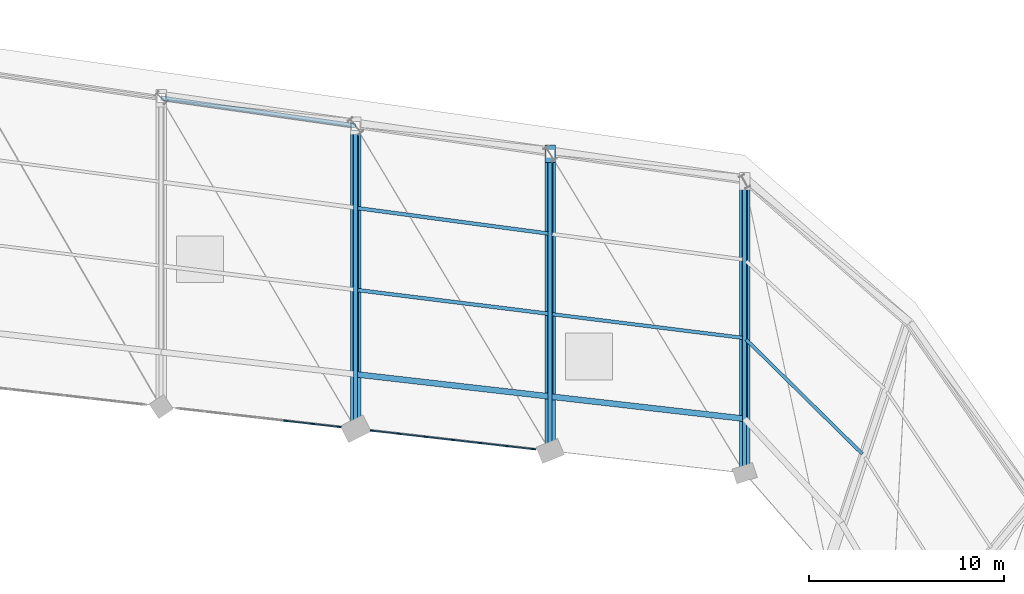
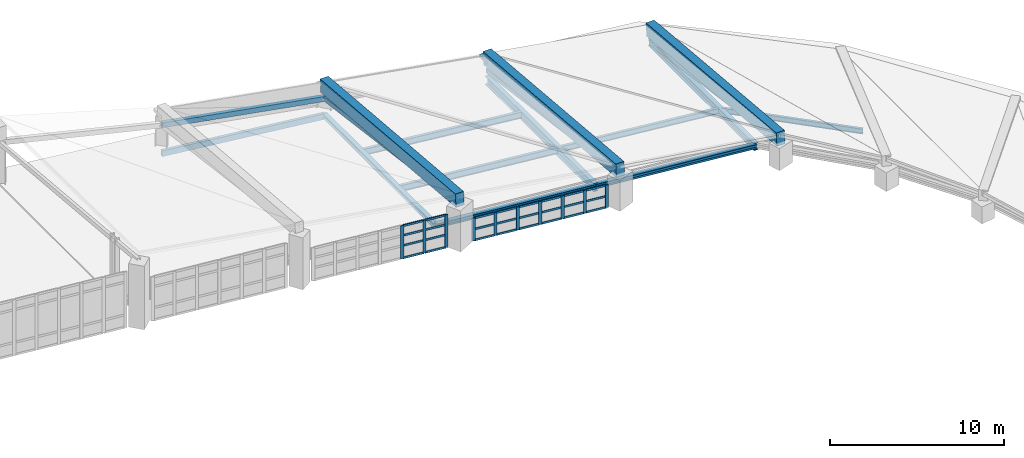
# One storey, part 43 of 67: 40 members, 14 beams, 2 elements without a shape of their own.
"""IFC4 building model written with IfcOpenShell, lengths in metres."""

from ifc_helpers import new_model, si_unit, direction, frame, origin, origin_2d, place, context, subcontext, project, spatial, rectangle, hollow_rectangle, i_section, extrude, material, layer, layer_set, material_profile, profile_set, type_object, element, aggregate, save


model = new_model("IFC4")

# Units and contexts
model_context = context("Model", 3, precision=1e-05, world=origin(), true_north=direction((0.0, 1.0)))
body_context = subcontext(model_context, "Body", "Model", "MODEL_VIEW")
ifc_project = project(units=[si_unit("LENGTHUNIT", "METRE"), si_unit("AREAUNIT", "SQUARE_METRE"), si_unit("VOLUMEUNIT", "CUBIC_METRE"), si_unit("PLANEANGLEUNIT", "RADIAN"), si_unit("MASSUNIT", "GRAM", prefix="KILO")], contexts=[model_context])

# Site, building, storey
site_placement = place(None, origin())
site = spatial("IfcSite", under=ifc_project, at=site_placement, CompositionType="ELEMENT")
building_placement = place(site_placement, origin())
building = spatial("IfcBuilding", under=site, at=building_placement, Name="Sohan Crest Arena", CompositionType="ELEMENT")
storey_placement = place(building_placement, frame((0.0, 0.0, 22.5)))
storey = spatial("IfcBuildingStorey", under=building, at=storey_placement, Name="L05", CompositionType="ELEMENT", Elevation=22.5)

# Curtain wall, members
ifc_material_1 = material(Name="Thermally broken anodised aluminium", Category="aluminium")
ifc_layer = layer(ifc_material_1, 0.18994140625, Name="Thermally broken anodised aluminium")
ifc_layer_set = layer_set([ifc_layer], Name="Thermally broken anodised aluminium")
curtain_wall_type = type_object("IfcCurtainWallType", Name="ARC-CW05", PredefinedType="NOTDEFINED", material=ifc_layer_set)
curtain_wall_1_placement = place(storey_placement, origin())
curtain_wall_1 = element("IfcCurtainWall", 1, at=curtain_wall_1_placement, inside=storey, type_object=curtain_wall_type, Name="Unitised curtain wall CW-195", PredefinedType="NOTDEFINED")
ifc_material_profile_1 = material_profile(ifc_material_1, rectangle(XDim=0.070068359375, YDim=0.199951171875, at=origin_2d()), Name="ALU-MULL 70x200")
ifc_profile_set_1 = profile_set([ifc_material_profile_1], Name="Thermally broken anodised aluminium")
member_type_1 = type_object("IfcMemberType", Name="ARC-CW-ML03", PredefinedType="MULLION", material=ifc_profile_set_1)
member_1_placement = place(storey_placement, frame((157.150146484375, 102.239990234375, 0.0), z_axis=(0.0, 0.0, 1.0), x_axis=(-0.11359680696, -0.993526932422, 0.0)))
member_1 = element("IfcMember", 2, at=member_1_placement, type_object=member_type_1, Name="CW-195 mullion 1", PredefinedType="MULLION", context=body_context, shape_type="SweptSolid", body=[
    extrude(rectangle(XDim=0.070068359375, YDim=0.199951171875, at=origin_2d()), origin(), (0.0, 0.0, 1.0), 1.60302734375),
])
member_2_placement = place(storey_placement, frame((155.7900390625, 102.3955078125, 0.0), z_axis=(0.0, 0.0, 1.0), x_axis=(-0.11359680696, -0.993526932422, 0.0)))
member_2 = element("IfcMember", 3, at=member_2_placement, type_object=member_type_1, Name="CW-195 mullion 2", PredefinedType="MULLION", context=body_context, shape_type="SweptSolid", body=[
    extrude(rectangle(XDim=0.070068359375, YDim=0.199951171875, at=origin_2d()), origin(), (0.0, 0.0, 1.0), 1.60302734375),
])
member_3_placement = place(storey_placement, frame((154.39501953125, 102.554931640625, 0.0), z_axis=(0.0, 0.0, 1.0), x_axis=(-0.11359680696, -0.993526932422, 0.0)))
member_3 = element("IfcMember", 4, at=member_3_placement, type_object=member_type_1, Name="CW-195 mullion 3", PredefinedType="MULLION", context=body_context, shape_type="SweptSolid", body=[
    extrude(rectangle(XDim=0.070068359375, YDim=0.199951171875, at=origin_2d()), origin(), (0.0, 0.0, 1.0), 1.60302734375),
])
member_4_placement = place(storey_placement, frame((153.0, 102.714599609375, 0.0), z_axis=(0.0, 0.0, 1.0), x_axis=(-0.11359680696, -0.993526932422, 0.0)))
member_4 = element("IfcMember", 5, at=member_4_placement, type_object=member_type_1, Name="CW-195 mullion 4", PredefinedType="MULLION", context=body_context, shape_type="SweptSolid", body=[
    extrude(rectangle(XDim=0.070068359375, YDim=0.199951171875, at=origin_2d()), origin(), (0.0, 0.0, 1.0), 1.60302734375),
])
member_5_placement = place(storey_placement, frame((151.60498046875, 102.8740234375, 0.0), z_axis=(0.0, 0.0, 1.0), x_axis=(-0.11359680696, -0.993526932422, 0.0)))
member_5 = element("IfcMember", 6, at=member_5_placement, type_object=member_type_1, Name="CW-195 mullion 5", PredefinedType="MULLION", context=body_context, shape_type="SweptSolid", body=[
    extrude(rectangle(XDim=0.070068359375, YDim=0.199951171875, at=origin_2d()), origin(), (0.0, 0.0, 1.0), 1.60302734375),
])
member_6_placement = place(storey_placement, frame((150.2099609375, 103.033447265625, 0.0), z_axis=(0.0, 0.0, 1.0), x_axis=(-0.11359680696, -0.993526932422, 0.0)))
member_6 = element("IfcMember", 7, at=member_6_placement, type_object=member_type_1, Name="CW-195 mullion 6", PredefinedType="MULLION", context=body_context, shape_type="SweptSolid", body=[
    extrude(rectangle(XDim=0.070068359375, YDim=0.199951171875, at=origin_2d()), origin(), (0.0, 0.0, 1.0), 1.60302734375),
])
member_7_placement = place(storey_placement, frame((148.849853515625, 103.18896484375, 0.0), z_axis=(0.0, 0.0, 1.0), x_axis=(-0.11359680696, -0.993526932422, 0.0)))
member_7 = element("IfcMember", 8, at=member_7_placement, type_object=member_type_1, Name="CW-195 mullion 7", PredefinedType="MULLION", context=body_context, shape_type="SweptSolid", body=[
    extrude(rectangle(XDim=0.070068359375, YDim=0.199951171875, at=origin_2d()), origin(), (0.0, 0.0, 1.0), 1.60302734375),
])

curtain_wall_2_placement = place(storey_placement, origin())
curtain_wall_2 = element("IfcCurtainWall", 9, at=curtain_wall_2_placement, inside=storey, type_object=curtain_wall_type, Name="Unitised curtain wall CW-196", PredefinedType="NOTDEFINED")
member_8_placement = place(storey_placement, frame((147.150146484375, 103.383056640625, 0.0), z_axis=(0.0, 0.0, 1.0), x_axis=(-0.11359680696, -0.993526932422, 0.0)))
member_8 = element("IfcMember", 10, at=member_8_placement, type_object=member_type_1, Name="CW-196 mullion 1", PredefinedType="MULLION", context=body_context, shape_type="SweptSolid", body=[
    extrude(rectangle(XDim=0.070068359375, YDim=0.199951171875, at=origin_2d()), origin(), (0.0, 0.0, 1.0), 2.31298828125),
])
member_9_placement = place(storey_placement, frame((145.7900390625, 103.53857421875, 0.0), z_axis=(0.0, 0.0, 1.0), x_axis=(-0.11359680696, -0.993526932422, 0.0)))
member_9 = element("IfcMember", 11, at=member_9_placement, type_object=member_type_1, Name="CW-196 mullion 2", PredefinedType="MULLION", context=body_context, shape_type="SweptSolid", body=[
    extrude(rectangle(XDim=0.070068359375, YDim=0.199951171875, at=origin_2d()), origin(), (0.0, 0.0, 1.0), 2.31298828125),
])
member_10_placement = place(storey_placement, frame((144.39501953125, 103.697998046875, 0.0), z_axis=(0.0, 0.0, 1.0), x_axis=(-0.11359680696, -0.993526932422, 0.0)))
member_10 = element("IfcMember", 12, at=member_10_placement, type_object=member_type_1, Name="CW-196 mullion 3", PredefinedType="MULLION", context=body_context, shape_type="SweptSolid", body=[
    extrude(rectangle(XDim=0.070068359375, YDim=0.199951171875, at=origin_2d()), origin(), (0.0, 0.0, 1.0), 2.31298828125),
])

# Member
ifc_material_profile_2 = material_profile(ifc_material_1, rectangle(XDim=0.06494140625, YDim=0.139892578125, at=origin_2d()), Name="ALU-TRAN 65x140")
ifc_profile_set_2 = profile_set([ifc_material_profile_2], Name="Thermally broken anodised aluminium")
member_type_2 = type_object("IfcMemberType", Name="ARC-CW-TR02", PredefinedType="USERDEFINED", material=ifc_profile_set_2)
member_11_placement = place(storey_placement, frame((157.115478515625, 102.243896484375, 0.032470703125), z_axis=(-0.99351630859, 0.113689685398, 0.0), x_axis=(-0.113689685398, -0.99351630859, 0.0)))
member_11 = element("IfcMember", 13, at=member_11_placement, type_object=member_type_2, Name="CW-195 transom 1.1", ObjectType="TRANSOM", PredefinedType="USERDEFINED", context=body_context, shape_type="SweptSolid", body=[
    extrude(rectangle(XDim=0.06494140625, YDim=0.139892578125, at=origin_2d()), origin(), (0.0, 0.0, 1.0), 1.29931640625),
])

member_12_placement = place(storey_placement, frame((157.115478515625, 102.243896484375, 0.802001953125), z_axis=(-0.99351630859, 0.113689685398, 0.0), x_axis=(-0.113689685398, -0.99351630859, 0.0)))
member_12 = element("IfcMember", 14, at=member_12_placement, type_object=member_type_2, Name="CW-195 transom 1.2", ObjectType="TRANSOM", PredefinedType="USERDEFINED", context=body_context, shape_type="SweptSolid", body=[
    extrude(rectangle(XDim=0.06494140625, YDim=0.139892578125, at=origin_2d()), origin(), (0.0, 0.0, 1.0), 1.29931640625),
])

member_13_placement = place(storey_placement, frame((157.115478515625, 102.243896484375, 1.570556640625), z_axis=(-0.99351630859, 0.113689685398, 0.0), x_axis=(-0.113689685398, -0.99351630859, 0.0)))
member_13 = element("IfcMember", 15, at=member_13_placement, type_object=member_type_2, Name="CW-195 transom 1.3", ObjectType="TRANSOM", PredefinedType="USERDEFINED", context=body_context, shape_type="SweptSolid", body=[
    extrude(rectangle(XDim=0.06494140625, YDim=0.139892578125, at=origin_2d()), origin(), (0.0, 0.0, 1.0), 1.29931640625),
])

member_14_placement = place(storey_placement, frame((155.755126953125, 102.3994140625, 0.032470703125), z_axis=(-0.993521460563, 0.113644654082, 0.0), x_axis=(-0.113644654082, -0.993521460563, 0.0)))
member_14 = element("IfcMember", 16, at=member_14_placement, type_object=member_type_2, Name="CW-195 transom 2.1", ObjectType="TRANSOM", PredefinedType="USERDEFINED", context=body_context, shape_type="SweptSolid", body=[
    extrude(rectangle(XDim=0.06494140625, YDim=0.139892578125, at=origin_2d()), origin(), (0.0, 0.0, 1.0), 1.333984375),
])

member_15_placement = place(storey_placement, frame((155.755126953125, 102.3994140625, 0.802001953125), z_axis=(-0.993521460563, 0.113644654082, 0.0), x_axis=(-0.113644654082, -0.993521460563, 0.0)))
member_15 = element("IfcMember", 17, at=member_15_placement, type_object=member_type_2, Name="CW-195 transom 2.2", ObjectType="TRANSOM", PredefinedType="USERDEFINED", context=body_context, shape_type="SweptSolid", body=[
    extrude(rectangle(XDim=0.06494140625, YDim=0.139892578125, at=origin_2d()), origin(), (0.0, 0.0, 1.0), 1.333984375),
])

member_16_placement = place(storey_placement, frame((155.755126953125, 102.3994140625, 1.570556640625), z_axis=(-0.993521460563, 0.113644654082, 0.0), x_axis=(-0.113644654082, -0.993521460563, 0.0)))
member_16 = element("IfcMember", 18, at=member_16_placement, type_object=member_type_2, Name="CW-195 transom 2.3", ObjectType="TRANSOM", PredefinedType="USERDEFINED", context=body_context, shape_type="SweptSolid", body=[
    extrude(rectangle(XDim=0.06494140625, YDim=0.139892578125, at=origin_2d()), origin(), (0.0, 0.0, 1.0), 1.333984375),
])

member_17_placement = place(storey_placement, frame((154.360107421875, 102.55908203125, 0.032470703125), z_axis=(-0.993542107108, 0.113464009285, 0.0), x_axis=(-0.113464009285, -0.993542107108, 0.0)))
member_17 = element("IfcMember", 19, at=member_17_placement, type_object=member_type_2, Name="CW-195 transom 3.1", ObjectType="TRANSOM", PredefinedType="USERDEFINED", context=body_context, shape_type="SweptSolid", body=[
    extrude(rectangle(XDim=0.06494140625, YDim=0.139892578125, at=origin_2d()), origin(), (0.0, 0.0, 1.0), 1.333984375),
])

member_18_placement = place(storey_placement, frame((154.360107421875, 102.55908203125, 0.802001953125), z_axis=(-0.993542107108, 0.113464009285, 0.0), x_axis=(-0.113464009285, -0.993542107108, 0.0)))
member_18 = element("IfcMember", 20, at=member_18_placement, type_object=member_type_2, Name="CW-195 transom 3.2", ObjectType="TRANSOM", PredefinedType="USERDEFINED", context=body_context, shape_type="SweptSolid", body=[
    extrude(rectangle(XDim=0.06494140625, YDim=0.139892578125, at=origin_2d()), origin(), (0.0, 0.0, 1.0), 1.333984375),
])

member_19_placement = place(storey_placement, frame((154.360107421875, 102.55908203125, 1.570556640625), z_axis=(-0.993542107108, 0.113464009285, 0.0), x_axis=(-0.113464009285, -0.993542107108, 0.0)))
member_19 = element("IfcMember", 21, at=member_19_placement, type_object=member_type_2, Name="CW-195 transom 3.3", ObjectType="TRANSOM", PredefinedType="USERDEFINED", context=body_context, shape_type="SweptSolid", body=[
    extrude(rectangle(XDim=0.06494140625, YDim=0.139892578125, at=origin_2d()), origin(), (0.0, 0.0, 1.0), 1.333984375),
])

member_20_placement = place(storey_placement, frame((152.96533203125, 102.718505859375, 0.032470703125), z_axis=(-0.993521460563, 0.113644654082, 0.0), x_axis=(-0.113644654082, -0.993521460563, 0.0)))
member_20 = element("IfcMember", 22, at=member_20_placement, type_object=member_type_2, Name="CW-195 transom 4.1", ObjectType="TRANSOM", PredefinedType="USERDEFINED", context=body_context, shape_type="SweptSolid", body=[
    extrude(rectangle(XDim=0.06494140625, YDim=0.139892578125, at=origin_2d()), origin(), (0.0, 0.0, 1.0), 1.333984375),
])

member_21_placement = place(storey_placement, frame((152.96533203125, 102.718505859375, 0.802001953125), z_axis=(-0.993521460563, 0.113644654082, 0.0), x_axis=(-0.113644654082, -0.993521460563, 0.0)))
member_21 = element("IfcMember", 23, at=member_21_placement, type_object=member_type_2, Name="CW-195 transom 4.2", ObjectType="TRANSOM", PredefinedType="USERDEFINED", context=body_context, shape_type="SweptSolid", body=[
    extrude(rectangle(XDim=0.06494140625, YDim=0.139892578125, at=origin_2d()), origin(), (0.0, 0.0, 1.0), 1.333984375),
])

member_22_placement = place(storey_placement, frame((152.96533203125, 102.718505859375, 1.570556640625), z_axis=(-0.993521460563, 0.113644654082, 0.0), x_axis=(-0.113644654082, -0.993521460563, 0.0)))
member_22 = element("IfcMember", 24, at=member_22_placement, type_object=member_type_2, Name="CW-195 transom 4.3", ObjectType="TRANSOM", PredefinedType="USERDEFINED", context=body_context, shape_type="SweptSolid", body=[
    extrude(rectangle(XDim=0.06494140625, YDim=0.139892578125, at=origin_2d()), origin(), (0.0, 0.0, 1.0), 1.333984375),
])

member_23_placement = place(storey_placement, frame((151.5703125, 102.8779296875, 0.032470703125), z_axis=(-0.993521460563, 0.113644654082, 0.0), x_axis=(-0.113644654082, -0.993521460563, 0.0)))
member_23 = element("IfcMember", 25, at=member_23_placement, type_object=member_type_2, Name="CW-195 transom 5.1", ObjectType="TRANSOM", PredefinedType="USERDEFINED", context=body_context, shape_type="SweptSolid", body=[
    extrude(rectangle(XDim=0.06494140625, YDim=0.139892578125, at=origin_2d()), origin(), (0.0, 0.0, 1.0), 1.333984375),
])

member_24_placement = place(storey_placement, frame((151.5703125, 102.8779296875, 0.802001953125), z_axis=(-0.993521460563, 0.113644654082, 0.0), x_axis=(-0.113644654082, -0.993521460563, 0.0)))
member_24 = element("IfcMember", 26, at=member_24_placement, type_object=member_type_2, Name="CW-195 transom 5.2", ObjectType="TRANSOM", PredefinedType="USERDEFINED", context=body_context, shape_type="SweptSolid", body=[
    extrude(rectangle(XDim=0.06494140625, YDim=0.139892578125, at=origin_2d()), origin(), (0.0, 0.0, 1.0), 1.333984375),
])

member_25_placement = place(storey_placement, frame((151.5703125, 102.8779296875, 1.570556640625), z_axis=(-0.993521460563, 0.113644654082, 0.0), x_axis=(-0.113644654082, -0.993521460563, 0.0)))
member_25 = element("IfcMember", 27, at=member_25_placement, type_object=member_type_2, Name="CW-195 transom 5.3", ObjectType="TRANSOM", PredefinedType="USERDEFINED", context=body_context, shape_type="SweptSolid", body=[
    extrude(rectangle(XDim=0.06494140625, YDim=0.139892578125, at=origin_2d()), origin(), (0.0, 0.0, 1.0), 1.333984375),
])

member_26_placement = place(storey_placement, frame((150.17529296875, 103.03759765625, 0.032470703125), z_axis=(-0.993537517414, 0.113504191511, 0.0), x_axis=(-0.113504191511, -0.993537517414, 0.0)))
member_26 = element("IfcMember", 28, at=member_26_placement, type_object=member_type_2, Name="CW-195 transom 6.1", ObjectType="TRANSOM", PredefinedType="USERDEFINED", context=body_context, shape_type="SweptSolid", body=[
    extrude(rectangle(XDim=0.06494140625, YDim=0.139892578125, at=origin_2d()), origin(), (0.0, 0.0, 1.0), 1.299072265625),
])

member_27_placement = place(storey_placement, frame((150.17529296875, 103.03759765625, 0.802001953125), z_axis=(-0.993537517414, 0.113504191511, 0.0), x_axis=(-0.113504191511, -0.993537517414, 0.0)))
member_27 = element("IfcMember", 29, at=member_27_placement, type_object=member_type_2, Name="CW-195 transom 6.2", ObjectType="TRANSOM", PredefinedType="USERDEFINED", context=body_context, shape_type="SweptSolid", body=[
    extrude(rectangle(XDim=0.06494140625, YDim=0.139892578125, at=origin_2d()), origin(), (0.0, 0.0, 1.0), 1.299072265625),
])

member_28_placement = place(storey_placement, frame((150.17529296875, 103.03759765625, 1.570556640625), z_axis=(-0.993537517414, 0.113504191511, 0.0), x_axis=(-0.113504191511, -0.993537517414, 0.0)))
member_28 = element("IfcMember", 30, at=member_28_placement, type_object=member_type_2, Name="CW-195 transom 6.3", ObjectType="TRANSOM", PredefinedType="USERDEFINED", context=body_context, shape_type="SweptSolid", body=[
    extrude(rectangle(XDim=0.06494140625, YDim=0.139892578125, at=origin_2d()), origin(), (0.0, 0.0, 1.0), 1.299072265625),
])

aggregate(curtain_wall_1, [member_1, member_2, member_3, member_4, member_5, member_6, member_7, member_11, member_12, member_13, member_14, member_15, member_16, member_17, member_18, member_19, member_20, member_21, member_22, member_23, member_24, member_25, member_26, member_27, member_28])

member_29_placement = place(storey_placement, frame((147.115478515625, 103.386962890625, 0.032470703125), z_axis=(-0.993537517414, 0.113504191511, 0.0), x_axis=(-0.113504191511, -0.993537517414, 0.0)))
member_29 = element("IfcMember", 31, at=member_29_placement, type_object=member_type_2, Name="CW-196 transom 1.1", ObjectType="TRANSOM", PredefinedType="USERDEFINED", context=body_context, shape_type="SweptSolid", body=[
    extrude(rectangle(XDim=0.06494140625, YDim=0.139892578125, at=origin_2d()), origin(), (0.0, 0.0, 1.0), 1.299072265625),
])

member_30_placement = place(storey_placement, frame((147.115478515625, 103.386962890625, 0.89990234375), z_axis=(-0.993537517414, 0.113504191511, 0.0), x_axis=(-0.113504191511, -0.993537517414, 0.0)))
member_30 = element("IfcMember", 32, at=member_30_placement, type_object=member_type_2, Name="CW-196 transom 1.2", ObjectType="TRANSOM", PredefinedType="USERDEFINED", context=body_context, shape_type="SweptSolid", body=[
    extrude(rectangle(XDim=0.06494140625, YDim=0.139892578125, at=origin_2d()), origin(), (0.0, 0.0, 1.0), 1.299072265625),
])

member_31_placement = place(storey_placement, frame((147.115478515625, 103.386962890625, 1.613037109375), z_axis=(-0.993537517414, 0.113504191511, 0.0), x_axis=(-0.113504191511, -0.993537517414, 0.0)))
member_31 = element("IfcMember", 33, at=member_31_placement, type_object=member_type_2, Name="CW-196 transom 1.3", ObjectType="TRANSOM", PredefinedType="USERDEFINED", context=body_context, shape_type="SweptSolid", body=[
    extrude(rectangle(XDim=0.06494140625, YDim=0.139892578125, at=origin_2d()), origin(), (0.0, 0.0, 1.0), 1.299072265625),
])

member_32_placement = place(storey_placement, frame((147.115478515625, 103.386962890625, 2.280517578125), z_axis=(-0.993537517414, 0.113504191511, 0.0), x_axis=(-0.113504191511, -0.993537517414, 0.0)))
member_32 = element("IfcMember", 34, at=member_32_placement, type_object=member_type_2, Name="CW-196 transom 1.4", ObjectType="TRANSOM", PredefinedType="USERDEFINED", context=body_context, shape_type="SweptSolid", body=[
    extrude(rectangle(XDim=0.06494140625, YDim=0.139892578125, at=origin_2d()), origin(), (0.0, 0.0, 1.0), 1.299072265625),
])

member_33_placement = place(storey_placement, frame((145.755126953125, 103.54248046875, 0.032470703125), z_axis=(-0.993521460563, 0.113644654082, 0.0), x_axis=(-0.113644654082, -0.993521460563, 0.0)))
member_33 = element("IfcMember", 35, at=member_33_placement, type_object=member_type_2, Name="CW-196 transom 2.1", ObjectType="TRANSOM", PredefinedType="USERDEFINED", context=body_context, shape_type="SweptSolid", body=[
    extrude(rectangle(XDim=0.06494140625, YDim=0.139892578125, at=origin_2d()), origin(), (0.0, 0.0, 1.0), 1.333984375),
])

member_34_placement = place(storey_placement, frame((145.755126953125, 103.54248046875, 0.89990234375), z_axis=(-0.993521460563, 0.113644654082, 0.0), x_axis=(-0.113644654082, -0.993521460563, 0.0)))
member_34 = element("IfcMember", 36, at=member_34_placement, type_object=member_type_2, Name="CW-196 transom 2.2", ObjectType="TRANSOM", PredefinedType="USERDEFINED", context=body_context, shape_type="SweptSolid", body=[
    extrude(rectangle(XDim=0.06494140625, YDim=0.139892578125, at=origin_2d()), origin(), (0.0, 0.0, 1.0), 1.333984375),
])

member_35_placement = place(storey_placement, frame((145.755126953125, 103.54248046875, 1.613037109375), z_axis=(-0.993521460563, 0.113644654082, 0.0), x_axis=(-0.113644654082, -0.993521460563, 0.0)))
member_35 = element("IfcMember", 37, at=member_35_placement, type_object=member_type_2, Name="CW-196 transom 2.3", ObjectType="TRANSOM", PredefinedType="USERDEFINED", context=body_context, shape_type="SweptSolid", body=[
    extrude(rectangle(XDim=0.06494140625, YDim=0.139892578125, at=origin_2d()), origin(), (0.0, 0.0, 1.0), 1.333984375),
])

member_36_placement = place(storey_placement, frame((145.755126953125, 103.54248046875, 2.280517578125), z_axis=(-0.993521460563, 0.113644654082, 0.0), x_axis=(-0.113644654082, -0.993521460563, 0.0)))
member_36 = element("IfcMember", 38, at=member_36_placement, type_object=member_type_2, Name="CW-196 transom 2.4", ObjectType="TRANSOM", PredefinedType="USERDEFINED", context=body_context, shape_type="SweptSolid", body=[
    extrude(rectangle(XDim=0.06494140625, YDim=0.139892578125, at=origin_2d()), origin(), (0.0, 0.0, 1.0), 1.333984375),
])

aggregate(curtain_wall_2, [member_8, member_9, member_10, member_29, member_30, member_31, member_32, member_33, member_34, member_35, member_36])

# Beams
ifc_material_2 = material(Name="Steel S355", Category="steel")
ifc_material_profile_3 = material_profile(ifc_material_2, i_section(OverallWidth=0.169921875, OverallDepth=0.360107421875, WebThickness=0.008056640625, FlangeThickness=0.0126953125, at=origin_2d()), Name="IPE 360")
ifc_profile_set_3 = profile_set([ifc_material_profile_3], Name="Steel S355")
beam_type_1 = type_object("IfcBeamType", Name="STR-BM-B02", PredefinedType="JOIST", material=ifc_profile_set_3)
beam_1_placement = place(storey_placement, frame((174.0458984375, 101.9951171875, -0.39990234375), z_axis=(-0.712580271708, 0.701590590283, 0.0), x_axis=(-0.701590590283, -0.712580271708, 0.0)))
element("IfcBeam", 39, at=beam_1_placement, inside=storey, type_object=beam_type_1, Name="Structural beam J-L05-1829", PredefinedType="JOIST", context=body_context, shape_type="SweptSolid", body=[
    extrude(i_section(OverallWidth=0.169921875, OverallDepth=0.360107421875, WebThickness=0.008056640625, FlangeThickness=0.0126953125, at=origin_2d()), origin(), (0.0, 0.0, 1.0), 8.375244140625),
])
ifc_material_profile_4 = material_profile(ifc_material_2, i_section(OverallWidth=0.179931640625, OverallDepth=0.39990234375, WebThickness=0.008544921875, FlangeThickness=0.013427734375, at=origin_2d()), Name="IPE 400")
ifc_profile_set_4 = profile_set([ifc_material_profile_4], Name="Steel S355")
beam_type_2 = type_object("IfcBeamType", Name="STR-BM-B03", PredefinedType="JOIST", material=ifc_profile_set_4)
beam_2_placement = place(storey_placement, frame((167.89111328125, 107.9619140625, -0.419921875), z_axis=(-0.992409914467, 0.122973825131, 0.0), x_axis=(-0.122973825131, -0.992409914467, 0.0)))
element("IfcBeam", 40, at=beam_2_placement, inside=storey, type_object=beam_type_2, Name="Structural beam J-L05-1834", PredefinedType="JOIST", context=body_context, shape_type="SweptSolid", body=[
    extrude(i_section(OverallWidth=0.179931640625, OverallDepth=0.39990234375, WebThickness=0.008544921875, FlangeThickness=0.013427734375, at=origin_2d()), origin(), (0.0, 0.0, 1.0), 9.85693359375),
])
ifc_material_profile_5 = material_profile(ifc_material_2, i_section(OverallWidth=0.18994140625, OverallDepth=0.449951171875, WebThickness=0.009521484375, FlangeThickness=0.0146484375, at=origin_2d()), Name="IPE 450")
ifc_profile_set_5 = profile_set([ifc_material_profile_5], Name="Steel S355")
beam_type_3 = type_object("IfcBeamType", Name="STR-BM-B04", PredefinedType="JOIST", material=ifc_profile_set_5)
beam_3_placement = place(storey_placement, frame((157.89111328125, 109.201904296875, -0.445068359375), z_axis=(-0.992409914467, 0.122973825131, 0.0), x_axis=(-0.122973825131, -0.992409914467, 0.0)))
element("IfcBeam", 41, at=beam_3_placement, inside=storey, type_object=beam_type_3, Name="Structural beam J-L05-1839", PredefinedType="JOIST", context=body_context, shape_type="SweptSolid", body=[
    extrude(i_section(OverallWidth=0.18994140625, OverallDepth=0.449951171875, WebThickness=0.009521484375, FlangeThickness=0.0146484375, at=origin_2d()), origin(), (0.0, 0.0, 1.0), 9.85693359375),
])
beam_4_placement = place(storey_placement, frame((157.89111328125, 113.323974609375, -0.445068359375), z_axis=(-0.991232437337, 0.132129690721, 0.0), x_axis=(-0.132129690721, -0.991232437337, 0.0)))
element("IfcBeam", 42, at=beam_4_placement, inside=storey, type_object=beam_type_3, Name="Structural beam J-L05-1840", PredefinedType="JOIST", context=body_context, shape_type="SweptSolid", body=[
    extrude(i_section(OverallWidth=0.18994140625, OverallDepth=0.449951171875, WebThickness=0.009521484375, FlangeThickness=0.0146484375, at=origin_2d()), origin(), (0.0, 0.0, 1.0), 9.86865234375),
])
ifc_material_profile_6 = material_profile(ifc_material_2, i_section(OverallWidth=0.300048828125, OverallDepth=0.590087890625, WebThickness=0.012939453125, FlangeThickness=0.02490234375, at=origin_2d()), Name="HEA 600")
ifc_profile_set_6 = profile_set([ifc_material_profile_6], Name="Steel S355")
beam_type_4 = type_object("IfcBeamType", Name="STR-BM-B11", PredefinedType="BEAM", material=ifc_profile_set_6)
beam_5_placement = place(storey_placement, frame((158.0, 104.943115234375, -0.514892578125), z_axis=(0.0, 1.0, 0.0), x_axis=(-1.0, 0.0, 0.0)))
element("IfcBeam", 43, at=beam_5_placement, inside=storey, type_object=beam_type_4, Name="Structural beam G-L05-1836", PredefinedType="BEAM", context=body_context, shape_type="SweptSolid", body=[
    extrude(i_section(OverallWidth=0.300048828125, OverallDepth=0.590087890625, WebThickness=0.012939453125, FlangeThickness=0.02490234375, at=origin_2d()), origin(), (0.0, 0.0, 1.0), 12.48583984375),
])
ifc_material_profile_7 = material_profile(ifc_material_2, i_section(OverallWidth=0.300048828125, OverallDepth=0.300048828125, WebThickness=0.010986328125, FlangeThickness=0.01904296875, at=origin_2d()), Name="HEB 300")
ifc_profile_set_7 = profile_set([ifc_material_profile_7], Name="Steel S355")
beam_type_5 = type_object("IfcBeamType", Name="STR-BM-B12", PredefinedType="BEAM", material=ifc_profile_set_7)
for number, where, z_axis, x_axis, name in (
    (44, (168.0, 103.800048828125, -0.3701171875), (-0.99353032697, 0.113567114035, 0.0), (-0.113567114035, -0.99353032697, 0.0), "Structural beam G-L05-1832"),
    (45, (158.0, 104.943115234375, -0.3701171875), (-0.993533063564, 0.113543170668, 0.0), (-0.113543170668, -0.993533063564, 0.0), "Structural beam G-L05-1837"),
):
    element("IfcBeam", number, at=place(storey_placement, frame(where, z_axis=z_axis, x_axis=x_axis)), inside=storey, type_object=beam_type_5, Name=name, PredefinedType="BEAM", context=body_context, shape_type="SweptSolid", body=[
        extrude(i_section(OverallWidth=0.300048828125, OverallDepth=0.300048828125, WebThickness=0.010986328125, FlangeThickness=0.01904296875, at=origin_2d()), origin(), (0.0, 0.0, 1.0), 10.065185546875),
    ])
beam_6_placement = place(storey_placement, frame((148.0, 106.0859375, -0.3701171875), z_axis=(0.0, 1.0, 0.0), x_axis=(-1.0, 0.0, 0.0)))
element("IfcBeam", 46, at=beam_6_placement, inside=storey, type_object=beam_type_5, Name="Structural beam G-L05-1841", PredefinedType="BEAM", context=body_context, shape_type="SweptSolid", body=[
    extrude(i_section(OverallWidth=0.300048828125, OverallDepth=0.300048828125, WebThickness=0.010986328125, FlangeThickness=0.01904296875, at=origin_2d()), origin(), (0.0, 0.0, 1.0), 12.77099609375),
])
ifc_material_profile_8 = material_profile(ifc_material_2, i_section(OverallWidth=0.300048828125, OverallDepth=0.5, WebThickness=0.014404296875, FlangeThickness=0.028076171875, at=origin_2d()), Name="HEB 500")
ifc_profile_set_8 = profile_set([ifc_material_profile_8], Name="Steel S355")
beam_type_6 = type_object("IfcBeamType", Name="STR-BM-B14", PredefinedType="BEAM", material=ifc_profile_set_8)
beam_7_placement = place(storey_placement, frame((168.0, 103.800048828125, -0.469970703125), z_axis=(0.0, 1.0, 0.0), x_axis=(-1.0, 0.0, 0.0)))
element("IfcBeam", 47, at=beam_7_placement, inside=storey, type_object=beam_type_6, Name="Structural beam G-L05-1831", PredefinedType="BEAM", context=body_context, shape_type="SweptSolid", body=[
    extrude(i_section(OverallWidth=0.300048828125, OverallDepth=0.5, WebThickness=0.014404296875, FlangeThickness=0.028076171875, at=origin_2d()), origin(), (0.0, 0.0, 1.0), 12.199951171875),
])
ifc_material_3 = material(Name="Precast concrete C50/60", Category="concrete")
ifc_material_profile_9 = material_profile(ifc_material_3, rectangle(XDim=0.550048828125, YDim=0.89990234375, at=origin_2d()), Name="RAKER 550x900")
ifc_profile_set_9 = profile_set([ifc_material_profile_9], Name="Precast concrete C50/60")
beam_type_7 = type_object("IfcBeamType", Name="STR-BM-RK01", PredefinedType="USERDEFINED", material=ifc_profile_set_9)
beam_8_placement = place(storey_placement, frame((168.0, 101.0, 1.799072265625), z_axis=(0.0, 0.995973859933, -0.089644131599), x_axis=(-1.0, 0.0, 0.0)))
element("IfcBeam", 48, at=beam_8_placement, inside=storey, type_object=beam_type_7, Name="Perimeter radial apron raker RKB-28", ObjectType="RAKER", PredefinedType="USERDEFINED", context=body_context, shape_type="SweptSolid", body=[
    extrude(rectangle(XDim=0.550048828125, YDim=0.89990234375, at=origin_2d()), origin(), (0.0, 0.0, 1.0), 15.060546875),
])
beam_9_placement = place(storey_placement, frame((158.0, 102.14306640625, 2.41796875), z_axis=(0.0, 0.996123579198, -0.087964850735), x_axis=(-1.0, 0.0, 0.0)))
element("IfcBeam", 49, at=beam_9_placement, inside=storey, type_object=beam_type_7, Name="Perimeter radial apron raker RKB-29", ObjectType="RAKER", PredefinedType="USERDEFINED", context=body_context, shape_type="SweptSolid", body=[
    extrude(rectangle(XDim=0.550048828125, YDim=0.89990234375, at=origin_2d()), origin(), (0.0, 0.0, 1.0), 15.345458984375),
])
beam_10_placement = place(storey_placement, frame((158.0, 117.428955078125, 1.068115234375), z_axis=(0.0, 0.0, -1.0), x_axis=(1.0, 0.0, 0.0)))
element("IfcBeam", 50, at=beam_10_placement, inside=storey, type_object=beam_type_7, Name="Perimeter cantilever nose bracket RKC-29", ObjectType="RAKER", PredefinedType="USERDEFINED", context=body_context, shape_type="SweptSolid", body=[
    extrude(rectangle(XDim=0.550048828125, YDim=0.89990234375, at=origin_2d()), origin(), (0.0, 0.0, 1.0), 0.2001953125),
])
beam_11_placement = place(storey_placement, frame((148.0, 103.285888671875, 3.123046875), z_axis=(0.0, 0.996262127134, -0.08638156075), x_axis=(-1.0, 0.0, 0.0)))
element("IfcBeam", 51, at=beam_11_placement, inside=storey, type_object=beam_type_7, Name="Perimeter radial apron raker RKB-30", ObjectType="RAKER", PredefinedType="USERDEFINED", context=body_context, shape_type="SweptSolid", body=[
    extrude(rectangle(XDim=0.550048828125, YDim=0.89990234375, at=origin_2d()), origin(), (0.0, 0.0, 1.0), 15.62939453125),
])
ifc_material_profile_10 = material_profile(ifc_material_2, hollow_rectangle(XDim=0.199951171875, YDim=0.39990234375, WallThickness=0.012451171875, at=origin_2d()), Name="RHS 400x200x12.5")
ifc_profile_set_10 = profile_set([ifc_material_profile_10], Name="Steel S355")
beam_type_8 = type_object("IfcBeamType", Name="STR-BM-SP05", PredefinedType="SPANDREL", material=ifc_profile_set_10)
beam_12_placement = place(storey_placement, frame((148.0, 118.85693359375, -0.419921875), z_axis=(-0.989944175879, 0.141458575718, 0.0), x_axis=(-0.141458575718, -0.989944175879, 0.0)))
element("IfcBeam", 52, at=beam_12_placement, inside=storey, type_object=beam_type_8, Name="Structural beam SP-L05-1843", PredefinedType="SPANDREL", context=body_context, shape_type="SweptSolid", body=[
    extrude(hollow_rectangle(XDim=0.199951171875, YDim=0.39990234375, WallThickness=0.012451171875, at=origin_2d()), origin(), (0.0, 0.0, 1.0), 10.1015625),
])

# Members
ifc_material_profile_11 = material_profile(ifc_material_2, hollow_rectangle(XDim=0.199951171875, YDim=0.300048828125, WallThickness=0.010009765625, at=origin_2d()), Name="RHS 300x200x10")
ifc_profile_set_11 = profile_set([ifc_material_profile_11], Name="Steel S355")
member_type_3 = type_object("IfcMemberType", Name="STR-MEM-CH03", PredefinedType="CHORD", material=ifc_profile_set_11)
member_37_placement = place(storey_placement, frame((168.0, 101.0, 1.549072265625), z_axis=(0.0, 0.990789497179, -0.135411123174), x_axis=(-1.0, 0.0, 0.0)))
element("IfcMember", 53, at=member_37_placement, inside=storey, type_object=member_type_3, Name="Outer roof-edge radial tie chord ORT-28", PredefinedType="CHORD", context=body_context, shape_type="SweptSolid", body=[
    extrude(hollow_rectangle(XDim=0.199951171875, YDim=0.300048828125, WallThickness=0.010009765625, at=origin_2d()), origin(), (0.0, 0.0, 1.0), 15.139404296875),
])
member_38_placement = place(storey_placement, frame((158.0, 102.14306640625, 2.16796875), z_axis=(0.0, 0.991126270242, -0.132923724126), x_axis=(-1.0, 0.0, 0.0)))
element("IfcMember", 54, at=member_38_placement, inside=storey, type_object=member_type_3, Name="Outer roof-edge radial tie chord ORT-29", PredefinedType="CHORD", context=body_context, shape_type="SweptSolid", body=[
    extrude(hollow_rectangle(XDim=0.199951171875, YDim=0.300048828125, WallThickness=0.010009765625, at=origin_2d()), origin(), (0.0, 0.0, 1.0), 15.4228515625),
])
member_39_placement = place(storey_placement, frame((148.0, 103.285888671875, 2.873046875), z_axis=(0.0, 0.991444186734, -0.130531316515), x_axis=(-1.0, 0.0, 0.0)))
element("IfcMember", 55, at=member_39_placement, inside=storey, type_object=member_type_3, Name="Outer roof-edge radial tie chord ORT-30", PredefinedType="CHORD", context=body_context, shape_type="SweptSolid", body=[
    extrude(hollow_rectangle(XDim=0.199951171875, YDim=0.300048828125, WallThickness=0.010009765625, at=origin_2d()), origin(), (0.0, 0.0, 1.0), 15.705322265625),
])
ifc_material_profile_12 = material_profile(ifc_material_2, hollow_rectangle(XDim=0.25, YDim=0.35009765625, WallThickness=0.012451171875, at=origin_2d()), Name="RHS 350x250x12.5")
ifc_profile_set_12 = profile_set([ifc_material_profile_12], Name="Steel S355")
member_type_4 = type_object("IfcMemberType", Name="STR-MEM-CH04", PredefinedType="CHORD", material=ifc_profile_set_12)
member_40_placement = place(storey_placement, frame((148.0, 118.85693359375, 0.822998046875), z_axis=(-0.987102194327, 0.141052469321, 0.075719606801), x_axis=(-0.141458575718, -0.989944175879, 0.0)))
element("IfcMember", 56, at=member_40_placement, inside=storey, type_object=member_type_4, Name="Outer roof-edge truss chord ORB-30", PredefinedType="CHORD", context=body_context, shape_type="SweptSolid", body=[
    extrude(hollow_rectangle(XDim=0.25, YDim=0.35009765625, WallThickness=0.012451171875, at=origin_2d()), origin(), (0.0, 0.0, 1.0), 10.130615234375),
])

save(model, "model.ifc")
